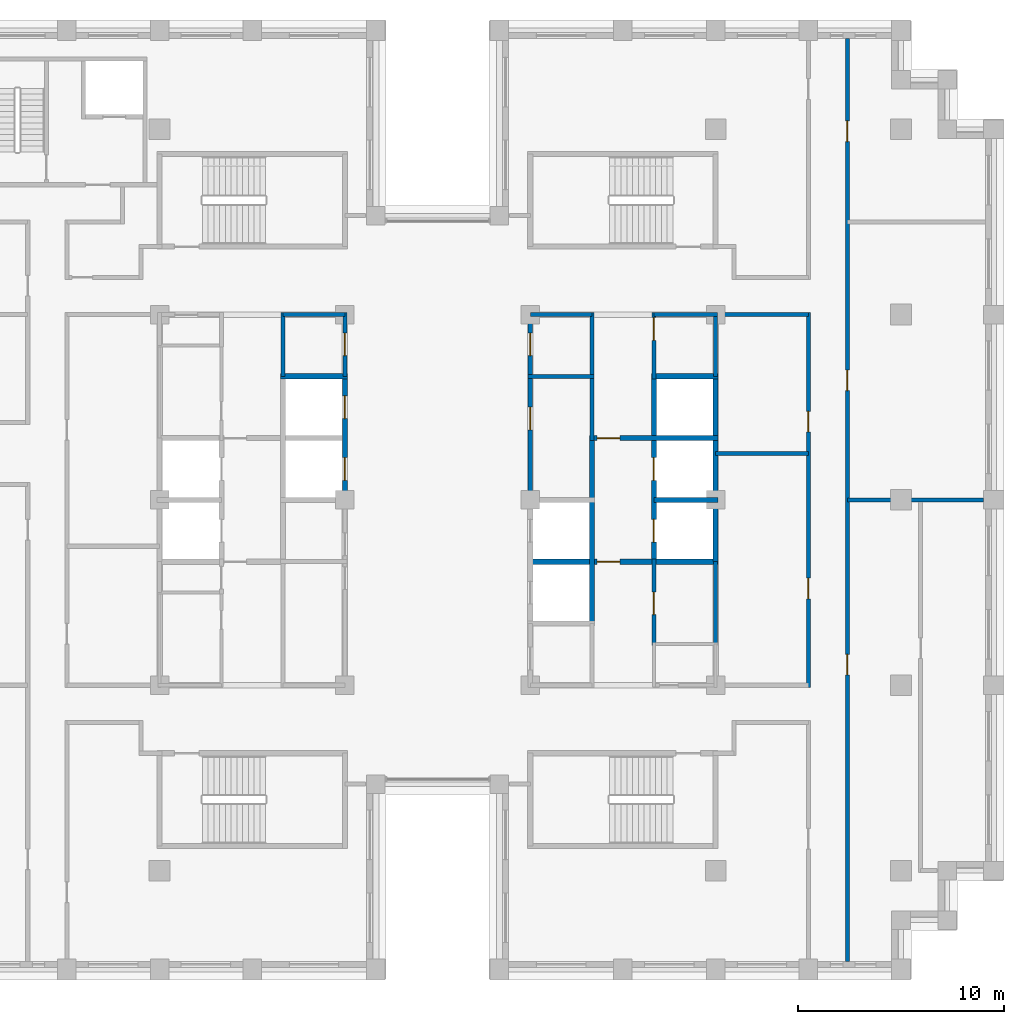
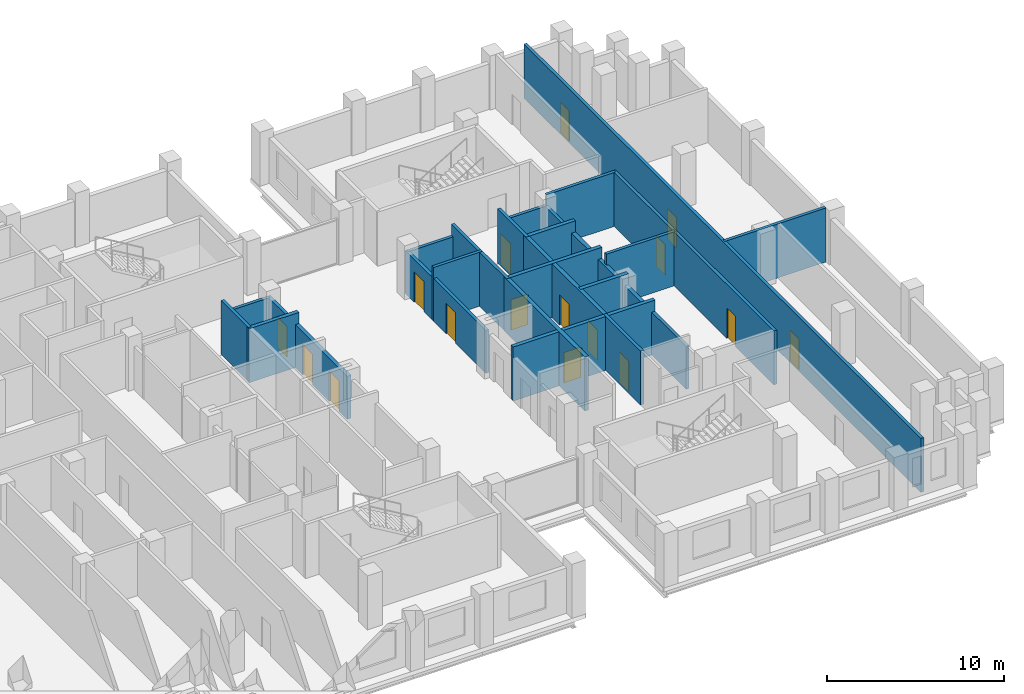
# One storey, part 9 of 15: 26 walls, 16 doors, 16 openings.
"""IFC4 building model written with IfcOpenShell, lengths in metres."""

from ifc_helpers import new_model, si_unit, direction, frame, frame_2d, origin, place, context, subcontext, project, spatial, rectangle, extrude, material, layer, layer_set, type_object, element, fill, save


model = new_model("IFC4")

# Units and contexts
model_context = context("Model", 3, precision=1e-05, world=origin(), true_north=direction((0.0, 1.0)))
body_context = subcontext(model_context, "Body", "Model", "MODEL_VIEW")
ifc_project = project(units=[si_unit("LENGTHUNIT", "METRE"), si_unit("AREAUNIT", "SQUARE_METRE"), si_unit("VOLUMEUNIT", "CUBIC_METRE"), si_unit("PLANEANGLEUNIT", "RADIAN"), si_unit("MASSUNIT", "GRAM", prefix="KILO")], contexts=[model_context])

# Site, building, storey
site_placement = place(None, origin())
site = spatial("IfcSite", under=ifc_project, at=site_placement, CompositionType="ELEMENT")
building_placement = place(site_placement, origin())
building = spatial("IfcBuilding", under=site, at=building_placement, Name="Corbelhall Arena Tower", CompositionType="ELEMENT")
storey_placement = place(building_placement, frame((0.0, 0.0, 220.0)))
storey = spatial("IfcBuildingStorey", under=building, at=storey_placement, Name="L46", CompositionType="ELEMENT", Elevation=220.0)

# Walls
ifc_material_1 = material(Name="Gypsum board on steel stud, acoustic", Category="steel")
ifc_layer_1 = layer(ifc_material_1, 0.199951171875)
ifc_layer_set_1 = layer_set([ifc_layer_1], Name="IN-W-DM200")
wall_type_1 = type_object("IfcWallType", Name="IN-W-DM200", PredefinedType="PARTITIONING", material=ifc_layer_set_1)
for number, where, z_axis, x_axis, name in (
    (1, (13.5, 2.25, 0.0), (0.0, 0.0, 1.0), (1.0, 0.0, 0.0), "Partition 037"),
    (2, (18.0, 9.0, 0.0), (0.0, 0.0, 1.0), (-1.0, 0.0, 0.0), "Partition 040"),
):
    element("IfcWall", number, at=place(storey_placement, frame(where, z_axis=z_axis, x_axis=x_axis)), inside=storey, type_object=wall_type_1, Name=name, PredefinedType="PARTITIONING", context=body_context, shape_type="SweptSolid", body=[
        extrude(rectangle(XDim=4.5, YDim=0.199951171875, at=frame_2d((2.25, 0.0))), origin(), (0.0, 0.0, 1.0), 3.719970703125),
    ])

# Wall, openings, doors
wall_1_placement = place(storey_placement, frame((18.0, -9.10009765625, 0.0), z_axis=(0.0, 0.0, 1.0), x_axis=(0.0, 1.0, 0.0)))
wall_1 = element("IfcWall", 3, at=wall_1_placement, inside=storey, type_object=wall_type_1, Name="Partition 045", PredefinedType="PARTITIONING", context=body_context, shape_type="SweptSolid", body=[
    extrude(rectangle(XDim=18.2001953125, YDim=0.199951171875, at=frame_2d((9.10009765625, 0.0))), origin(), (0.0, 0.0, 1.0), 3.719970703125),
])
opening_1_placement = place(wall_1_placement, frame((4.300048828125, 0.0, 0.0)))
opening_1 = element("IfcOpeningElement", 4, at=opening_1_placement, cuts=wall_1, Name="Opening 14026", PredefinedType="OPENING", context=body_context, shape_type="SweptSolid", body=[
    extrude(rectangle(XDim=1.0, YDim=2.10009765625, at=frame_2d((0.5, 1.050048828125))), frame((0.0, 0.10009765625, 0.0), z_axis=(0.0, -1.0, 0.0), x_axis=(1.0, 0.0, 0.0)), (0.0, 0.0, 1.0), 0.199951171875),
])
opening_2_placement = place(wall_1_placement, frame((12.39990234375, 0.0, 0.0)))
opening_2 = element("IfcOpeningElement", 5, at=opening_2_placement, cuts=wall_1, Name="Opening 14027", PredefinedType="OPENING", context=body_context, shape_type="SweptSolid", body=[
    extrude(rectangle(XDim=1.0, YDim=2.10009765625, at=frame_2d((0.5, 1.050048828125))), frame((0.0, 0.10009765625, 0.0), z_axis=(0.0, -1.0, 0.0), x_axis=(1.0, 0.0, 0.0)), (0.0, 0.0, 1.0), 0.199951171875),
])
ifc_material_2 = material(Name="Steel door set", Category="steel")
door_type_1 = type_object("IfcDoorType", Name="IN-D-SW100", OperationType="NOTDEFINED", PredefinedType="DOOR", material=ifc_material_2)
door_1_placement = place(opening_1_placement, origin())
door_1 = element("IfcDoor", 6, at=door_1_placement, inside=storey, type_object=door_type_1, Name="Door 026", OperationType="SINGLE_SWING_LEFT", OverallHeight=2.10009765625, OverallWidth=1.0, PredefinedType="DOOR", context=body_context, shape_type="SweptSolid", body=[
    extrude(rectangle(XDim=1.0, YDim=2.10009765625, at=frame_2d((0.5, 1.050048828125))), frame((0.0, 0.02490234375, 0.0), z_axis=(0.0, -1.0, 0.0), x_axis=(1.0, 0.0, 0.0)), (0.0, 0.0, 1.0), 0.050048828125),
])
fill(opening_1, door_1)
door_2_placement = place(opening_2_placement, origin())
door_2 = element("IfcDoor", 7, at=door_2_placement, inside=storey, type_object=door_type_1, Name="Door 027", OperationType="SINGLE_SWING_RIGHT", OverallHeight=2.10009765625, OverallWidth=1.0, PredefinedType="DOOR", context=body_context, shape_type="SweptSolid", body=[
    extrude(rectangle(XDim=1.0, YDim=2.10009765625, at=frame_2d((0.5, 1.050048828125))), frame((0.0, 0.02490234375, 0.0), z_axis=(0.0, -1.0, 0.0), x_axis=(1.0, 0.0, 0.0)), (0.0, 0.0, 1.0), 0.050048828125),
])
fill(opening_2, door_2)

wall_2_placement = place(storey_placement, frame((19.89990234375, 22.39990234375, 0.0), z_axis=(0.0, 0.0, 1.0), x_axis=(0.0, -1.0, 0.0)))
wall_2 = element("IfcWall", 8, at=wall_2_placement, inside=storey, type_object=wall_type_1, Name="Partition 047", PredefinedType="PARTITIONING", context=body_context, shape_type="SweptSolid", body=[
    extrude(rectangle(XDim=44.7998046875, YDim=0.199951171875, at=frame_2d((22.39990234375, 0.0))), origin(), (0.0, 0.0, 1.0), 3.719970703125),
])
opening_3_placement = place(wall_2_placement, frame((16.10009765625, 0.0, 0.0)))
opening_3 = element("IfcOpeningElement", 9, at=opening_3_placement, cuts=wall_2, Name="Opening 14038", PredefinedType="OPENING", context=body_context, shape_type="SweptSolid", body=[
    extrude(rectangle(XDim=1.0, YDim=2.10009765625, at=frame_2d((0.5, 1.050048828125))), frame((0.0, 0.10009765625, 0.0), z_axis=(0.0, -1.0, 0.0), x_axis=(1.0, 0.0, 0.0)), (0.0, 0.0, 1.0), 0.199951171875),
])
opening_4_placement = place(wall_2_placement, frame((4.0, 0.0, 0.0)))
opening_4 = element("IfcOpeningElement", 10, at=opening_4_placement, cuts=wall_2, Name="Opening 14039", PredefinedType="OPENING", context=body_context, shape_type="SweptSolid", body=[
    extrude(rectangle(XDim=1.0, YDim=2.10009765625, at=frame_2d((0.5, 1.050048828125))), frame((0.0, 0.10009765625, 0.0), z_axis=(0.0, -1.0, 0.0), x_axis=(1.0, 0.0, 0.0)), (0.0, 0.0, 1.0), 0.199951171875),
])
opening_5_placement = place(wall_2_placement, frame((29.89990234375, 0.0, 0.0)))
opening_5 = element("IfcOpeningElement", 11, at=opening_5_placement, cuts=wall_2, Name="Opening 14040", PredefinedType="OPENING", context=body_context, shape_type="SweptSolid", body=[
    extrude(rectangle(XDim=1.0, YDim=2.10009765625, at=frame_2d((0.5, 1.050048828125))), frame((0.0, 0.10009765625, 0.0), z_axis=(0.0, -1.0, 0.0), x_axis=(1.0, 0.0, 0.0)), (0.0, 0.0, 1.0), 0.199951171875),
])
door_3_placement = place(opening_3_placement, origin())
door_3 = element("IfcDoor", 12, at=door_3_placement, inside=storey, type_object=door_type_1, Name="Door 038", OperationType="SINGLE_SWING_LEFT", OverallHeight=2.10009765625, OverallWidth=1.0, PredefinedType="DOOR", context=body_context, shape_type="SweptSolid", body=[
    extrude(rectangle(XDim=1.0, YDim=2.10009765625, at=frame_2d((0.5, 1.050048828125))), frame((0.0, 0.02490234375, 0.0), z_axis=(0.0, -1.0, 0.0), x_axis=(1.0, 0.0, 0.0)), (0.0, 0.0, 1.0), 0.050048828125),
])
fill(opening_3, door_3)
door_4_placement = place(opening_4_placement, origin())
door_4 = element("IfcDoor", 13, at=door_4_placement, inside=storey, type_object=door_type_1, Name="Door 039", OperationType="SINGLE_SWING_RIGHT", OverallHeight=2.10009765625, OverallWidth=1.0, PredefinedType="DOOR", context=body_context, shape_type="SweptSolid", body=[
    extrude(rectangle(XDim=1.0, YDim=2.10009765625, at=frame_2d((0.5, 1.050048828125))), frame((0.0, 0.02490234375, 0.0), z_axis=(0.0, -1.0, 0.0), x_axis=(1.0, 0.0, 0.0)), (0.0, 0.0, 1.0), 0.050048828125),
])
fill(opening_4, door_4)
door_5_placement = place(opening_5_placement, origin())
door_5 = element("IfcDoor", 14, at=door_5_placement, inside=storey, type_object=door_type_1, Name="Door 040", OperationType="SINGLE_SWING_LEFT", OverallHeight=2.10009765625, OverallWidth=1.0, PredefinedType="DOOR", context=body_context, shape_type="SweptSolid", body=[
    extrude(rectangle(XDim=1.0, YDim=2.10009765625, at=frame_2d((0.5, 1.050048828125))), frame((0.0, 0.02490234375, 0.0), z_axis=(0.0, -1.0, 0.0), x_axis=(1.0, 0.0, 0.0)), (0.0, 0.0, 1.0), 0.050048828125),
])
fill(opening_5, door_5)

# Walls
wall_3_placement = place(storey_placement, frame((26.5, 0.0, 0.0), z_axis=(0.0, 0.0, 1.0), x_axis=(-1.0, 0.0, 0.0)))
element("IfcWall", 15, at=wall_3_placement, inside=storey, type_object=wall_type_1, Name="Partition 051", PredefinedType="PARTITIONING", context=body_context, shape_type="SweptSolid", body=[
    extrude(rectangle(XDim=6.60009765625, YDim=0.199951171875, at=frame_2d((3.300048828125, 0.0))), origin(), (0.0, 0.0, 1.0), 3.719970703125),
])
ifc_material_3 = material(Name="Concrete block wall", Category="concrete")
ifc_layer_2 = layer(ifc_material_3, 0.199951171875)
ifc_layer_set_2 = layer_set([ifc_layer_2], Name="IN-W-RS200")
wall_type_2 = type_object("IfcWallType", Name="IN-W-RS200", PredefinedType="SOLIDWALL", material=ifc_layer_set_2)
wall_4_placement = place(storey_placement, frame((-7.5, 6.0, 0.0), z_axis=(0.0, 0.0, 1.0), x_axis=(0.0, 1.0, 0.0)))
element("IfcWall", 16, at=wall_4_placement, inside=storey, type_object=wall_type_2, Name="Partition 059", PredefinedType="SOLIDWALL", context=body_context, shape_type="SweptSolid", body=[
    extrude(rectangle(XDim=3.10009765625, YDim=0.199951171875, at=frame_2d((1.550048828125, 0.0))), origin(), (0.0, 0.0, 1.0), 3.719970703125),
])
wall_5_placement = place(storey_placement, frame((4.39990234375, 6.0, 0.0), z_axis=(0.0, 0.0, 1.0), x_axis=(1.0, 0.0, 0.0)))
element("IfcWall", 17, at=wall_5_placement, inside=storey, type_object=wall_type_2, Name="Partition 064", PredefinedType="SOLIDWALL", context=body_context, shape_type="SweptSolid", body=[
    extrude(rectangle(XDim=3.2001953125, YDim=0.199951171875, at=frame_2d((1.60009765625, 0.0))), origin(), (0.0, 0.0, 1.0), 3.719970703125),
])
wall_6_placement = place(storey_placement, frame((7.5, 9.10009765625, 0.0), z_axis=(0.0, 0.0, 1.0), x_axis=(0.0, -1.0, 0.0)))
element("IfcWall", 18, at=wall_6_placement, inside=storey, type_object=wall_type_2, Name="Partition 070", PredefinedType="SOLIDWALL", context=body_context, shape_type="SweptSolid", body=[
    extrude(rectangle(XDim=6.22509765625, YDim=0.199951171875, at=frame_2d((3.112548828125, 0.0))), origin(), (0.0, 0.0, 1.0), 3.719970703125),
])

# Wall, opening, door
wall_7_placement = place(storey_placement, frame((10.5, -2.875, 0.0), z_axis=(0.0, 0.0, 1.0), x_axis=(0.0, -1.0, 0.0)))
wall_7 = element("IfcWall", 19, at=wall_7_placement, inside=storey, type_object=wall_type_2, Name="Partition 071", PredefinedType="SOLIDWALL", context=body_context, shape_type="SweptSolid", body=[
    extrude(rectangle(XDim=4.199951171875, YDim=0.199951171875, at=frame_2d((2.10009765625, 0.0))), origin(), (0.0, 0.0, 1.0), 3.719970703125),
])
opening_6_placement = place(wall_7_placement, frame((1.60009765625, 0.0, 0.0)))
opening_6 = element("IfcOpeningElement", 20, at=opening_6_placement, cuts=wall_7, Name="Opening 14016", PredefinedType="OPENING", context=body_context, shape_type="SweptSolid", body=[
    extrude(rectangle(XDim=1.10009765625, YDim=2.10009765625, at=frame_2d((0.550048828125, 1.050048828125))), frame((0.0, 0.10009765625, 0.0), z_axis=(0.0, -1.0, 0.0), x_axis=(1.0, 0.0, 0.0)), (0.0, 0.0, 1.0), 0.199951171875),
])
door_type_2 = type_object("IfcDoorType", Name="IN-D-FD110", OperationType="NOTDEFINED", PredefinedType="DOOR", material=ifc_material_2)
door_6_placement = place(opening_6_placement, origin())
door_6 = element("IfcDoor", 21, at=door_6_placement, inside=storey, type_object=door_type_2, Name="Door 016", OperationType="SINGLE_SWING_LEFT", OverallHeight=2.10009765625, OverallWidth=1.10009765625, PredefinedType="DOOR", context=body_context, shape_type="SweptSolid", body=[
    extrude(rectangle(XDim=1.10009765625, YDim=2.10009765625, at=frame_2d((0.550048828125, 1.050048828125))), frame((0.0, 0.02490234375, 0.0), z_axis=(0.0, -1.0, 0.0), x_axis=(1.0, 0.0, 0.0)), (0.0, 0.0, 1.0), 0.050048828125),
])
fill(opening_6, door_6)

wall_8_placement = place(storey_placement, frame((10.5, 9.10009765625, 0.0), z_axis=(0.0, 0.0, 1.0), x_axis=(0.0, -1.0, 0.0)))
wall_8 = element("IfcWall", 22, at=wall_8_placement, inside=storey, type_object=wall_type_2, Name="Partition 073", PredefinedType="SOLIDWALL", context=body_context, shape_type="SweptSolid", body=[
    extrude(rectangle(XDim=3.22509765625, YDim=0.199951171875, at=frame_2d((1.612548828125, 0.0))), origin(), (0.0, 0.0, 1.0), 3.719970703125),
])
opening_7_placement = place(wall_8_placement, frame((0.25, 0.0, 0.0)))
opening_7 = element("IfcOpeningElement", 23, at=opening_7_placement, cuts=wall_8, Name="Opening 14017", PredefinedType="OPENING", context=body_context, shape_type="SweptSolid", body=[
    extrude(rectangle(XDim=1.10009765625, YDim=2.10009765625, at=frame_2d((0.550048828125, 1.050048828125))), frame((0.0, 0.10009765625, 0.0), z_axis=(0.0, -1.0, 0.0), x_axis=(1.0, 0.0, 0.0)), (0.0, 0.0, 1.0), 0.199951171875),
])
door_7_placement = place(opening_7_placement, origin())
door_7 = element("IfcDoor", 24, at=door_7_placement, inside=storey, type_object=door_type_2, Name="Door 017", OperationType="SINGLE_SWING_RIGHT", OverallHeight=2.10009765625, OverallWidth=1.10009765625, PredefinedType="DOOR", context=body_context, shape_type="SweptSolid", body=[
    extrude(rectangle(XDim=1.10009765625, YDim=2.10009765625, at=frame_2d((0.550048828125, 1.050048828125))), frame((0.0, 0.02490234375, 0.0), z_axis=(0.0, -1.0, 0.0), x_axis=(1.0, 0.0, 0.0)), (0.0, 0.0, 1.0), 0.050048828125),
])
fill(opening_7, door_7)

# Wall
ifc_layer_3 = layer(ifc_material_3, 0.199951171875)
ifc_layer_set_3 = layer_set([ifc_layer_3], Name="IN-W-RS200 under beam 762 mm")
wall_type_3 = type_object("IfcWallType", Name="IN-W-RS200 under beam 762 mm", PredefinedType="SOLIDWALL", material=ifc_layer_set_3)
wall_9_placement = place(storey_placement, frame((-7.5, 9.0, 0.0), z_axis=(0.0, 0.0, 1.0), x_axis=(1.0, 0.0, 0.0)))
element("IfcWall", 25, at=wall_9_placement, inside=storey, type_object=wall_type_3, Name="Partition 060", PredefinedType="SOLIDWALL", context=body_context, shape_type="SweptSolid", body=[
    extrude(rectangle(XDim=3.0, YDim=0.199951171875, at=frame_2d((1.5, 0.0))), origin(), (0.0, 0.0, 1.0), 2.9580078125),
])

# Wall, opening, door
wall_10_placement = place(storey_placement, frame((-4.5, 9.10009765625, 0.0), z_axis=(0.0, 0.0, 1.0), x_axis=(0.0, -1.0, 0.0)))
wall_10 = element("IfcWall", 26, at=wall_10_placement, inside=storey, type_object=wall_type_3, Name="Partition 063", PredefinedType="SOLIDWALL", context=body_context, shape_type="SweptSolid", body=[
    extrude(rectangle(XDim=3.10009765625, YDim=0.199951171875, at=frame_2d((1.550048828125, 0.0))), origin(), (0.0, 0.0, 1.0), 2.9580078125),
])
opening_8_placement = place(wall_10_placement, frame((1.0, 0.0, 0.0)))
opening_8 = element("IfcOpeningElement", 27, at=opening_8_placement, cuts=wall_10, Name="Opening 14003", PredefinedType="OPENING", context=body_context, shape_type="SweptSolid", body=[
    extrude(rectangle(XDim=1.10009765625, YDim=2.10009765625, at=frame_2d((0.550048828125, 1.050048828125))), frame((0.0, 0.10009765625, 0.0), z_axis=(0.0, -1.0, 0.0), x_axis=(1.0, 0.0, 0.0)), (0.0, 0.0, 1.0), 0.199951171875),
])
door_8_placement = place(opening_8_placement, origin())
door_8 = element("IfcDoor", 28, at=door_8_placement, inside=storey, type_object=door_type_2, Name="Door 003", OperationType="SINGLE_SWING_RIGHT", OverallHeight=2.10009765625, OverallWidth=1.10009765625, PredefinedType="DOOR", context=body_context, shape_type="SweptSolid", body=[
    extrude(rectangle(XDim=1.10009765625, YDim=2.10009765625, at=frame_2d((0.550048828125, 1.050048828125))), frame((0.0, 0.02490234375, 0.0), z_axis=(0.0, -1.0, 0.0), x_axis=(1.0, 0.0, 0.0)), (0.0, 0.0, 1.0), 0.050048828125),
])
fill(opening_8, door_8)

# Wall, openings, doors
wall_11_placement = place(storey_placement, frame((4.5, 0.0, 0.0), z_axis=(0.0, 0.0, 1.0), x_axis=(0.0, 1.0, 0.0)))
wall_11 = element("IfcWall", 29, at=wall_11_placement, inside=storey, type_object=wall_type_3, Name="Partition 066", PredefinedType="SOLIDWALL", context=body_context, shape_type="SweptSolid", body=[
    extrude(rectangle(XDim=9.10009765625, YDim=0.199951171875, at=frame_2d((4.550048828125, 0.0))), origin(), (0.0, 0.0, 1.0), 2.9580078125),
])
opening_9_placement = place(wall_11_placement, frame((3.39990234375, 0.0, 0.0)))
opening_9 = element("IfcOpeningElement", 30, at=opening_9_placement, cuts=wall_11, Name="Opening 14011", PredefinedType="OPENING", context=body_context, shape_type="SweptSolid", body=[
    extrude(rectangle(XDim=1.10009765625, YDim=2.10009765625, at=frame_2d((0.550048828125, 1.050048828125))), frame((0.0, 0.10009765625, 0.0), z_axis=(0.0, -1.0, 0.0), x_axis=(1.0, 0.0, 0.0)), (0.0, 0.0, 1.0), 0.199951171875),
])
opening_10_placement = place(wall_11_placement, frame((7.0, 0.0, 0.0)))
opening_10 = element("IfcOpeningElement", 31, at=opening_10_placement, cuts=wall_11, Name="Opening 14012", PredefinedType="OPENING", context=body_context, shape_type="SweptSolid", body=[
    extrude(rectangle(XDim=1.10009765625, YDim=2.10009765625, at=frame_2d((0.550048828125, 1.050048828125))), frame((0.0, 0.10009765625, 0.0), z_axis=(0.0, -1.0, 0.0), x_axis=(1.0, 0.0, 0.0)), (0.0, 0.0, 1.0), 0.199951171875),
])
door_9_placement = place(opening_9_placement, origin())
door_9 = element("IfcDoor", 32, at=door_9_placement, inside=storey, type_object=door_type_2, Name="Door 011", OperationType="SINGLE_SWING_RIGHT", OverallHeight=2.10009765625, OverallWidth=1.10009765625, PredefinedType="DOOR", context=body_context, shape_type="SweptSolid", body=[
    extrude(rectangle(XDim=1.10009765625, YDim=2.10009765625, at=frame_2d((0.550048828125, 1.050048828125))), frame((0.0, 0.02490234375, 0.0), z_axis=(0.0, -1.0, 0.0), x_axis=(1.0, 0.0, 0.0)), (0.0, 0.0, 1.0), 0.050048828125),
])
fill(opening_9, door_9)
door_10_placement = place(opening_10_placement, origin())
door_10 = element("IfcDoor", 33, at=door_10_placement, inside=storey, type_object=door_type_2, Name="Door 012", OperationType="SINGLE_SWING_LEFT", OverallHeight=2.10009765625, OverallWidth=1.10009765625, PredefinedType="DOOR", context=body_context, shape_type="SweptSolid", body=[
    extrude(rectangle(XDim=1.10009765625, YDim=2.10009765625, at=frame_2d((0.550048828125, 1.050048828125))), frame((0.0, 0.02490234375, 0.0), z_axis=(0.0, -1.0, 0.0), x_axis=(1.0, 0.0, 0.0)), (0.0, 0.0, 1.0), 0.050048828125),
])
fill(opening_10, door_10)

# Walls
wall_12_placement = place(storey_placement, frame((4.5, 9.0, 0.0), z_axis=(0.0, 0.0, 1.0), x_axis=(1.0, 0.0, 0.0)))
element("IfcWall", 34, at=wall_12_placement, inside=storey, type_object=wall_type_3, Name="Partition 067", PredefinedType="SOLIDWALL", context=body_context, shape_type="SweptSolid", body=[
    extrude(rectangle(XDim=3.0, YDim=0.199951171875, at=frame_2d((1.5, 0.0))), origin(), (0.0, 0.0, 1.0), 2.9580078125),
])
wall_13_placement = place(storey_placement, frame((10.5, 9.0, 0.0), z_axis=(0.0, 0.0, 1.0), x_axis=(1.0, 0.0, 0.0)))
element("IfcWall", 35, at=wall_13_placement, inside=storey, type_object=wall_type_3, Name="Partition 072", PredefinedType="SOLIDWALL", context=body_context, shape_type="SweptSolid", body=[
    extrude(rectangle(XDim=3.10009765625, YDim=0.199951171875, at=frame_2d((1.550048828125, 0.0))), origin(), (0.0, 0.0, 1.0), 2.9580078125),
])
wall_14_placement = place(storey_placement, frame((13.5, -3.0, 0.0), z_axis=(0.0, 0.0, 1.0), x_axis=(0.0, -1.0, 0.0)))
element("IfcWall", 36, at=wall_14_placement, inside=storey, type_object=wall_type_3, Name="Partition 074", PredefinedType="SOLIDWALL", context=body_context, shape_type="SweptSolid", body=[
    extrude(rectangle(XDim=4.0, YDim=0.199951171875, at=frame_2d((2.0, 0.0))), origin(), (0.0, 0.0, 1.0), 2.9580078125),
])
wall_15_placement = place(storey_placement, frame((13.5, 9.10009765625, 0.0), z_axis=(0.0, 0.0, 1.0), x_axis=(0.0, -1.0, 0.0)))
element("IfcWall", 37, at=wall_15_placement, inside=storey, type_object=wall_type_3, Name="Partition 075", PredefinedType="SOLIDWALL", context=body_context, shape_type="SweptSolid", body=[
    extrude(rectangle(XDim=3.10009765625, YDim=0.199951171875, at=frame_2d((1.550048828125, 0.0))), origin(), (0.0, 0.0, 1.0), 2.9580078125),
])
ifc_material_4 = material(Name="Concrete C40/50", Category="concrete")
ifc_layer_4 = layer(ifc_material_4, 0.25)
ifc_layer_set_4 = layer_set([ifc_layer_4], Name="IN-W-SH250")
wall_type_4 = type_object("IfcWallType", Name="IN-W-SH250", PredefinedType="SOLIDWALL", material=ifc_layer_set_4)
wall_16_placement = place(storey_placement, frame((-7.625, 6.0, 0.0), z_axis=(0.0, 0.0, 1.0), x_axis=(1.0, 0.0, 0.0)))
element("IfcWall", 38, at=wall_16_placement, inside=storey, type_object=wall_type_4, Name="Shaft wall 082", PredefinedType="SOLIDWALL", context=body_context, shape_type="SweptSolid", body=[
    extrude(rectangle(XDim=3.25, YDim=0.25, at=frame_2d((1.625, 0.0))), origin(), (0.0, 0.0, 1.0), 3.719970703125),
])

# Wall, opening, door
wall_17_placement = place(storey_placement, frame((4.375, -3.0, 0.0), z_axis=(0.0, 0.0, 1.0), x_axis=(1.0, 0.0, 0.0)))
wall_17 = element("IfcWall", 39, at=wall_17_placement, inside=storey, type_object=wall_type_4, Name="Shaft wall 086", PredefinedType="SOLIDWALL", context=body_context, shape_type="SweptSolid", body=[
    extrude(rectangle(XDim=9.25, YDim=0.25, at=frame_2d((4.625, 0.0))), origin(), (0.0, 0.0, 1.0), 3.719970703125),
])
opening_11_placement = place(wall_17_placement, frame((3.375, 0.0, 0.0)))
opening_11 = element("IfcOpeningElement", 40, at=opening_11_placement, cuts=wall_17, Name="Opening 14013", PredefinedType="OPENING", context=body_context, shape_type="SweptSolid", body=[
    extrude(rectangle(XDim=1.10009765625, YDim=2.10009765625, at=frame_2d((0.550048828125, 1.050048828125))), frame((0.0, 0.125, 0.0), z_axis=(0.0, -1.0, 0.0), x_axis=(1.0, 0.0, 0.0)), (0.0, 0.0, 1.0), 0.25),
])
door_11_placement = place(opening_11_placement, origin())
door_11 = element("IfcDoor", 41, at=door_11_placement, inside=storey, type_object=door_type_2, Name="Door 013", OperationType="SINGLE_SWING_RIGHT", OverallHeight=2.10009765625, OverallWidth=1.10009765625, PredefinedType="DOOR", context=body_context, shape_type="SweptSolid", body=[
    extrude(rectangle(XDim=1.10009765625, YDim=2.10009765625, at=frame_2d((0.550048828125, 1.050048828125))), frame((0.0, 0.02490234375, 0.0), z_axis=(0.0, -1.0, 0.0), x_axis=(1.0, 0.0, 0.0)), (0.0, 0.0, 1.0), 0.050048828125),
])
fill(opening_11, door_11)

# Wall
wall_18_placement = place(storey_placement, frame((7.5, 3.125, 0.0), z_axis=(0.0, 0.0, 1.0), x_axis=(0.0, -1.0, 0.0)))
element("IfcWall", 42, at=wall_18_placement, inside=storey, type_object=wall_type_4, Name="Shaft wall 089", PredefinedType="SOLIDWALL", context=body_context, shape_type="SweptSolid", body=[
    extrude(rectangle(XDim=9.125, YDim=0.25, at=frame_2d((4.5625, 0.0))), origin(), (0.0, 0.0, 1.0), 3.719970703125),
])

# Wall, opening, door
wall_19_placement = place(storey_placement, frame((7.5, 3.0, 0.0), z_axis=(0.0, 0.0, 1.0), x_axis=(1.0, 0.0, 0.0)))
wall_19 = element("IfcWall", 43, at=wall_19_placement, inside=storey, type_object=wall_type_4, Name="Shaft wall 090", PredefinedType="SOLIDWALL", context=body_context, shape_type="SweptSolid", body=[
    extrude(rectangle(XDim=6.125, YDim=0.25, at=frame_2d((3.0625, 0.0))), origin(), (0.0, 0.0, 1.0), 3.719970703125),
])
opening_12_placement = place(wall_19_placement, frame((0.25, 0.0, 0.0)))
opening_12 = element("IfcOpeningElement", 44, at=opening_12_placement, cuts=wall_19, Name="Opening 14014", PredefinedType="OPENING", context=body_context, shape_type="SweptSolid", body=[
    extrude(rectangle(XDim=1.10009765625, YDim=2.10009765625, at=frame_2d((0.550048828125, 1.050048828125))), frame((0.0, 0.125, 0.0), z_axis=(0.0, -1.0, 0.0), x_axis=(1.0, 0.0, 0.0)), (0.0, 0.0, 1.0), 0.25),
])
door_12_placement = place(opening_12_placement, origin())
door_12 = element("IfcDoor", 45, at=door_12_placement, inside=storey, type_object=door_type_2, Name="Door 014", OperationType="SINGLE_SWING_LEFT", OverallHeight=2.10009765625, OverallWidth=1.10009765625, PredefinedType="DOOR", context=body_context, shape_type="SweptSolid", body=[
    extrude(rectangle(XDim=1.10009765625, YDim=2.10009765625, at=frame_2d((0.550048828125, 1.050048828125))), frame((0.0, 0.02490234375, 0.0), z_axis=(0.0, -1.0, 0.0), x_axis=(1.0, 0.0, 0.0)), (0.0, 0.0, 1.0), 0.050048828125),
])
fill(opening_12, door_12)

# Wall
wall_20_placement = place(storey_placement, frame((10.5, 0.0, 0.0), z_axis=(0.0, 0.0, 1.0), x_axis=(1.0, 0.0, 0.0)))
element("IfcWall", 46, at=wall_20_placement, inside=storey, type_object=wall_type_4, Name="Shaft wall 091", PredefinedType="SOLIDWALL", context=body_context, shape_type="SweptSolid", body=[
    extrude(rectangle(XDim=3.125, YDim=0.25, at=frame_2d((1.5625, 0.0))), origin(), (0.0, 0.0, 1.0), 3.719970703125),
])

# Wall, openings, doors
wall_21_placement = place(storey_placement, frame((10.5, 6.125, 0.0), z_axis=(0.0, 0.0, 1.0), x_axis=(0.0, -1.0, 0.0)))
wall_21 = element("IfcWall", 47, at=wall_21_placement, inside=storey, type_object=wall_type_4, Name="Shaft wall 092", PredefinedType="SOLIDWALL", context=body_context, shape_type="SweptSolid", body=[
    extrude(rectangle(XDim=9.25, YDim=0.25, at=frame_2d((4.625, 0.0))), origin(), (0.0, 0.0, 1.0), 3.719970703125),
])
opening_13_placement = place(wall_21_placement, frame((7.074951171875, 0.0, 0.0)))
opening_13 = element("IfcOpeningElement", 48, at=opening_13_placement, cuts=wall_21, Name="Opening LD", PredefinedType="OPENING", context=body_context, shape_type="SweptSolid", body=[
    extrude(rectangle(XDim=1.10009765625, YDim=2.10009765625, at=frame_2d((0.550048828125, 1.050048828125))), frame((0.0, 0.125, 0.0), z_axis=(0.0, -1.0, 0.0), x_axis=(1.0, 0.0, 0.0)), (0.0, 0.0, 1.0), 0.25),
])
opening_14_placement = place(wall_21_placement, frame((4.074951171875, 0.0, 0.0)))
opening_14 = element("IfcOpeningElement", 49, at=opening_14_placement, cuts=wall_21, Name="Opening LD", PredefinedType="OPENING", context=body_context, shape_type="SweptSolid", body=[
    extrude(rectangle(XDim=1.10009765625, YDim=2.10009765625, at=frame_2d((0.550048828125, 1.050048828125))), frame((0.0, 0.125, 0.0), z_axis=(0.0, -1.0, 0.0), x_axis=(1.0, 0.0, 0.0)), (0.0, 0.0, 1.0), 0.25),
])
door_type_3 = type_object("IfcDoorType", Name="IN-D-LD110", OperationType="NOTDEFINED", PredefinedType="DOOR", material=ifc_material_2)
door_13_placement = place(opening_13_placement, origin())
door_13 = element("IfcDoor", 50, at=door_13_placement, inside=storey, type_object=door_type_3, Name="Landing door E3", OperationType="SLIDING_TO_LEFT", OverallHeight=2.10009765625, OverallWidth=1.10009765625, PredefinedType="DOOR", context=body_context, shape_type="SweptSolid", body=[
    extrude(rectangle(XDim=1.10009765625, YDim=2.10009765625, at=frame_2d((0.550048828125, 1.050048828125))), frame((0.0, 0.02490234375, 0.0), z_axis=(0.0, -1.0, 0.0), x_axis=(1.0, 0.0, 0.0)), (0.0, 0.0, 1.0), 0.050048828125),
])
fill(opening_13, door_13)
door_14_placement = place(opening_14_placement, origin())
door_14 = element("IfcDoor", 51, at=door_14_placement, inside=storey, type_object=door_type_3, Name="Landing door E4", OperationType="SLIDING_TO_LEFT", OverallHeight=2.10009765625, OverallWidth=1.10009765625, PredefinedType="DOOR", context=body_context, shape_type="SweptSolid", body=[
    extrude(rectangle(XDim=1.10009765625, YDim=2.10009765625, at=frame_2d((0.550048828125, 1.050048828125))), frame((0.0, 0.02490234375, 0.0), z_axis=(0.0, -1.0, 0.0), x_axis=(1.0, 0.0, 0.0)), (0.0, 0.0, 1.0), 0.050048828125),
])
fill(opening_14, door_14)

# Wall
wall_22_placement = place(storey_placement, frame((10.5, 6.0, 0.0), z_axis=(0.0, 0.0, 1.0), x_axis=(1.0, 0.0, 0.0)))
element("IfcWall", 52, at=wall_22_placement, inside=storey, type_object=wall_type_4, Name="Shaft wall 093", PredefinedType="SOLIDWALL", context=body_context, shape_type="SweptSolid", body=[
    extrude(rectangle(XDim=3.125, YDim=0.25, at=frame_2d((1.5625, 0.0))), origin(), (0.0, 0.0, 1.0), 3.719970703125),
])

# Wall, openings, doors
ifc_layer_5 = layer(ifc_material_4, 0.25)
ifc_layer_set_5 = layer_set([ifc_layer_5], Name="IN-W-SH250 under beam 762 mm")
wall_type_5 = type_object("IfcWallType", Name="IN-W-SH250 under beam 762 mm", PredefinedType="SOLIDWALL", material=ifc_layer_set_5)
wall_23_placement = place(storey_placement, frame((-4.5, 6.0, 0.0), z_axis=(0.0, 0.0, 1.0), x_axis=(0.0, -1.0, 0.0)))
wall_23 = element("IfcWall", 53, at=wall_23_placement, inside=storey, type_object=wall_type_5, Name="Shaft wall 084", PredefinedType="SOLIDWALL", context=body_context, shape_type="SweptSolid", body=[
    extrude(rectangle(XDim=6.0, YDim=0.25, at=frame_2d((3.0, 0.0))), origin(), (0.0, 0.0, 1.0), 2.9580078125),
])
opening_15_placement = place(wall_23_placement, frame((3.949951171875, 0.0, 0.0)))
opening_15 = element("IfcOpeningElement", 54, at=opening_15_placement, cuts=wall_23, Name="Opening LD", PredefinedType="OPENING", context=body_context, shape_type="SweptSolid", body=[
    extrude(rectangle(XDim=1.10009765625, YDim=2.10009765625, at=frame_2d((0.550048828125, 1.050048828125))), frame((0.0, 0.125, 0.0), z_axis=(0.0, -1.0, 0.0), x_axis=(1.0, 0.0, 0.0)), (0.0, 0.0, 1.0), 0.25),
])
opening_16_placement = place(wall_23_placement, frame((0.949951171875, 0.0, 0.0)))
opening_16 = element("IfcOpeningElement", 55, at=opening_16_placement, cuts=wall_23, Name="Opening LD", PredefinedType="OPENING", context=body_context, shape_type="SweptSolid", body=[
    extrude(rectangle(XDim=1.10009765625, YDim=2.10009765625, at=frame_2d((0.550048828125, 1.050048828125))), frame((0.0, 0.125, 0.0), z_axis=(0.0, -1.0, 0.0), x_axis=(1.0, 0.0, 0.0)), (0.0, 0.0, 1.0), 0.25),
])
door_15_placement = place(opening_15_placement, origin())
door_15 = element("IfcDoor", 56, at=door_15_placement, inside=storey, type_object=door_type_3, Name="Landing door W4", OperationType="SLIDING_TO_LEFT", OverallHeight=2.10009765625, OverallWidth=1.10009765625, PredefinedType="DOOR", context=body_context, shape_type="SweptSolid", body=[
    extrude(rectangle(XDim=1.10009765625, YDim=2.10009765625, at=frame_2d((0.550048828125, 1.050048828125))), frame((0.0, 0.02490234375, 0.0), z_axis=(0.0, -1.0, 0.0), x_axis=(1.0, 0.0, 0.0)), (0.0, 0.0, 1.0), 0.050048828125),
])
fill(opening_15, door_15)
door_16_placement = place(opening_16_placement, origin())
door_16 = element("IfcDoor", 57, at=door_16_placement, inside=storey, type_object=door_type_3, Name="Landing door W5", OperationType="SLIDING_TO_LEFT", OverallHeight=2.10009765625, OverallWidth=1.10009765625, PredefinedType="DOOR", context=body_context, shape_type="SweptSolid", body=[
    extrude(rectangle(XDim=1.10009765625, YDim=2.10009765625, at=frame_2d((0.550048828125, 1.050048828125))), frame((0.0, 0.02490234375, 0.0), z_axis=(0.0, -1.0, 0.0), x_axis=(1.0, 0.0, 0.0)), (0.0, 0.0, 1.0), 0.050048828125),
])
fill(opening_16, door_16)

# Wall
wall_24_placement = place(storey_placement, frame((13.5, 6.0, 0.0), z_axis=(0.0, 0.0, 1.0), x_axis=(0.0, -1.0, 0.0)))
element("IfcWall", 58, at=wall_24_placement, inside=storey, type_object=wall_type_5, Name="Shaft wall 094", PredefinedType="SOLIDWALL", context=body_context, shape_type="SweptSolid", body=[
    extrude(rectangle(XDim=9.0, YDim=0.25, at=frame_2d((4.5, 0.0))), origin(), (0.0, 0.0, 1.0), 2.9580078125),
])

save(model, "model.ifc")
